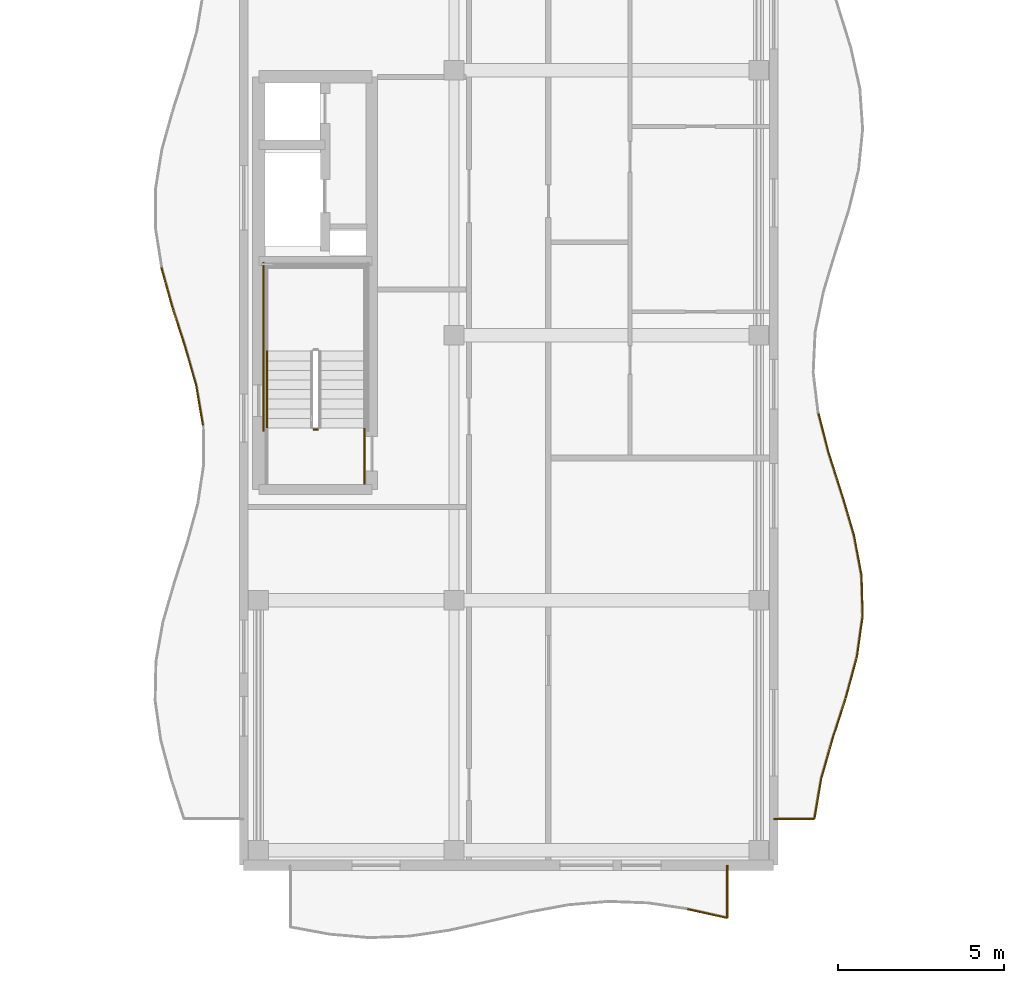
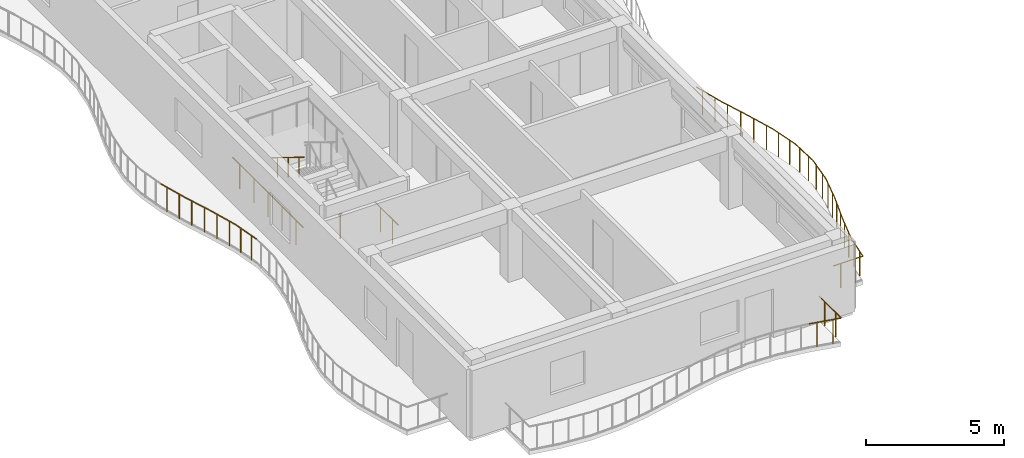
# One storey, part 61 of 76: 21 railings.
"""IFC4 building model written with IfcOpenShell, lengths in metres."""

import ifcopenshell
import ifcopenshell.guid

model = None  # the IFC model being written
_history = None  # IfcOwnerHistory: only IFC2X3 demands one
_inside = {}  # id of a spatial element -> (the spatial element, [elements in it])
_under = {}  # id of a project, library or spatial element -> (it, [spatial elements below it])
_declared = {}  # id of a project -> (the project, [libraries it declares])
_typed = {}  # id of a type object -> (the type object, [elements of that type])
_made_of = {}  # id of a material, layer set ... -> (it, [elements and type objects made of it])


def new_model(schema):
    """Start an empty IFC model of exactly this schema.

    Asked for "IFC4X3", IfcOpenShell would pick the latest addendum, in which some entities
    have other attributes; the version numbers below select the first issue.
    IFC2X3 requires an IfcOwnerHistory on every rooted entity: one is made here for all.
    """
    global model, _history
    if schema == "IFC4X3":
        model = ifcopenshell.file(schema_version=(4, 3, 0, 0))
    else:
        model = ifcopenshell.file(schema=schema)
    _inside.clear()
    _under.clear()
    _declared.clear()
    _typed.clear()
    _made_of.clear()
    _history = None
    if model.schema == "IFC2X3":
        org = make("IfcOrganization", Name="unknown")
        user = make(
            "IfcPersonAndOrganization",
            ThePerson=make("IfcPerson", FamilyName="unknown"),
            TheOrganization=org,
        )
        app = make(
            "IfcApplication",
            ApplicationDeveloper=org,
            Version="unknown",
            ApplicationFullName="unknown",
            ApplicationIdentifier="unknown",
        )
        _history = make(
            "IfcOwnerHistory",
            OwningUser=user,
            OwningApplication=app,
            ChangeAction="ADDED",
            CreationDate=0,
        )
    return model


def make(cls, **values):
    """One entity of the class cls with the attributes given. An attribute that is None is left unset."""
    return model.create_entity(
        cls, **{name: value for name, value in values.items() if value is not None}
    )


def rooted(cls, **values):
    """An entity with a GlobalId (a new one), such as an element, a storey or a relation."""
    return make(cls, GlobalId=ifcopenshell.guid.new(), OwnerHistory=_history, **values)


def si_unit(unit_type, name, prefix=None):
    """IfcSIUnit, for example si_unit("LENGTHUNIT", "METRE", prefix="MILLI")."""
    return make("IfcSIUnit", UnitType=unit_type, Prefix=prefix, Name=name)


def assignment(units):
    """IfcUnitAssignment: the units of a project."""
    return None if units is None else make("IfcUnitAssignment", Units=units)


def point(xyz):
    """IfcCartesianPoint."""
    return None if xyz is None else make("IfcCartesianPoint", Coordinates=xyz)


def direction(xyz):
    """IfcDirection."""
    return None if xyz is None else make("IfcDirection", DirectionRatios=xyz)


def frame(location, z_axis=None, x_axis=None):
    """IfcAxis2Placement3D, a coordinate frame: its origin and axes. An axis left out is left unset."""
    return make(
        "IfcAxis2Placement3D",
        Location=point(location),
        Axis=direction(z_axis),
        RefDirection=direction(x_axis),
    )


def frame_2d(location, x_axis=None):
    """IfcAxis2Placement2D, a coordinate frame in the plane: its origin and x axis."""
    return make(
        "IfcAxis2Placement2D", Location=point(location), RefDirection=direction(x_axis)
    )


def origin():
    """The frame at (0, 0, 0) with its axes left unset."""
    return frame((0.0, 0.0, 0.0))


def origin_2d():
    """The frame at (0, 0) in the plane with its x axis left unset."""
    return frame_2d((0.0, 0.0))


def place(relative_to, where):
    """IfcLocalPlacement: puts the frame where relative to a parent placement (None: the world)."""
    return make(
        "IfcLocalPlacement", PlacementRelTo=relative_to, RelativePlacement=where
    )


def context(
    kind, dimensions, precision=None, world=None, true_north=None, identifier=None
):
    """IfcGeometricRepresentationContext, for example the 3D "Model" context."""
    return make(
        "IfcGeometricRepresentationContext",
        ContextIdentifier=identifier,
        ContextType=kind,
        CoordinateSpaceDimension=dimensions,
        Precision=precision,
        WorldCoordinateSystem=world,
        TrueNorth=true_north,
    )


def subcontext(parent, identifier, kind, view, scale=None):
    """IfcGeometricRepresentationSubContext, for example "Body" below "Model"."""
    return make(
        "IfcGeometricRepresentationSubContext",
        ContextIdentifier=identifier,
        ContextType=kind,
        ParentContext=parent,
        TargetScale=scale,
        TargetView=view,
    )


def project(units=None, contexts=None):
    """IfcProject with its units and contexts."""
    return rooted(
        "IfcProject",
        Name="project",
        RepresentationContexts=contexts,
        UnitsInContext=assignment(units),
    )


def spatial(cls, under=None, at=None, **own):
    """A site, building, storey or space (cls), placed at a placement, below another one or the project."""
    s = rooted(cls, ObjectPlacement=at, **own)
    if under is not None:
        _under.setdefault(under.id(), (under, []))[1].append(s)
    return s


def profile(cls, at=None, kind="AREA", **sizes):
    """A parametric profile (cls). Its sizes go by their IFC names, for example OverallWidth=200.0."""
    return make(cls, ProfileType=kind, Position=at, **sizes)


def circle(**sizes):
    """IfcCircleProfileDef."""
    return profile("IfcCircleProfileDef", **sizes)


def extrude(swept, where, along, depth):
    """IfcExtrudedAreaSolid: the profile swept, set in the frame where, extruded along a direction by depth."""
    return make(
        "IfcExtrudedAreaSolid",
        SweptArea=swept,
        Position=where,
        ExtrudedDirection=direction(along),
        Depth=depth,
    )


def shape(context_of_items, identifier, shape_type, items):
    """IfcShapeRepresentation: the items that make up one representation, for example the "Body"."""
    return make(
        "IfcShapeRepresentation",
        ContextOfItems=context_of_items,
        RepresentationIdentifier=identifier,
        RepresentationType=shape_type,
        Items=items,
    )


def material(Name=None, Category=None):
    """IfcMaterial."""
    return make("IfcMaterial", Name=Name, Category=Category)


def made_of(thing, what):
    """Note that an element or type object is made of a material, layer set ...; save() writes the relation."""
    if what is not None:
        _made_of.setdefault(what.id(), (what, []))[1].append(thing)
    return thing


def type_object(cls, material=None, **own):
    """A type object (cls), such as IfcWallType, which elements share."""
    return made_of(rooted(cls, **own), material)


def element(
    cls,
    number,
    at=None,
    inside=None,
    cuts=None,
    type_object=None,
    material=None,
    context=None,
    identifier="Body",
    shape_type=None,
    held_by="IfcProductDefinitionShape",
    body=None,
    shapes=None,
    **own,
):
    """One element of the class cls, such as IfcWall. Its Tag is "e" and its number.

    at: its placement. inside: the storey or other place that contains it. cuts: it is an
    opening in that element (IfcRelVoidsElement). A single representation is given by context,
    identifier, shape_type and body (its items); several are given by shapes. held_by: the class
    of the entity that holds the representations. save() writes the other relations.
    """
    e = rooted(cls, Tag="e%d" % number, ObjectPlacement=at, **own)
    if body is not None:
        shapes = [shape(context, identifier, shape_type, body)]
    if shapes is not None:
        e.Representation = make(held_by, Representations=shapes)
    if inside is not None:
        _inside.setdefault(inside.id(), (inside, []))[1].append(e)
    if cuts is not None:
        rooted(
            "IfcRelVoidsElement", RelatingBuildingElement=cuts, RelatedOpeningElement=e
        )
    if type_object is not None:
        _typed.setdefault(type_object.id(), (type_object, []))[1].append(e)
    return made_of(e, material)


def aggregate(whole, parts):
    """IfcRelAggregates: a whole, such as a stair, and the parts it consists of."""
    return rooted("IfcRelAggregates", RelatingObject=whole, RelatedObjects=parts)


def save(model, path):
    """Write the relations noted so far, then the file.

    IfcRelAggregates (storeys below a building ...), IfcRelContainedInSpatialStructure (elements
    in a storey), IfcRelDefinesByType, IfcRelAssociatesMaterial and IfcRelDeclares: one each for
    every whole, place, type object, material and project.
    """
    for whole, parts in _under.values():
        aggregate(whole, parts)
    for where, things in _inside.values():
        rooted(
            "IfcRelContainedInSpatialStructure",
            RelatedElements=things,
            RelatingStructure=where,
        )
    for kind, things in _typed.values():
        rooted("IfcRelDefinesByType", RelatedObjects=things, RelatingType=kind)
    for what, things in _made_of.values():
        rooted("IfcRelAssociatesMaterial", RelatedObjects=things, RelatingMaterial=what)
    for by, libraries in _declared.values():
        rooted("IfcRelDeclares", RelatingContext=by, RelatedDefinitions=libraries)
    model.write(path)


model = new_model("IFC4")

# Units and contexts
model_context = context("Model", 3, precision=1e-05, world=origin(), true_north=direction((0.0, 1.0)))
body_context = subcontext(model_context, "Body", "Model", "MODEL_VIEW")
ifc_project = project(units=[si_unit("LENGTHUNIT", "METRE"), si_unit("AREAUNIT", "SQUARE_METRE"), si_unit("VOLUMEUNIT", "CUBIC_METRE"), si_unit("PLANEANGLEUNIT", "RADIAN"), si_unit("MASSUNIT", "GRAM", prefix="KILO")], contexts=[model_context])

# Site, building, storey
site_placement = place(None, origin())
site = spatial("IfcSite", under=ifc_project, at=site_placement, CompositionType="ELEMENT")
building_placement = place(site_placement, origin())
building = spatial("IfcBuilding", under=site, at=building_placement, Name="Keldmere Railside Commons", CompositionType="ELEMENT")
storey_placement = place(building_placement, frame((0.0, 0.0, 13.760009765625)))
storey = spatial("IfcBuildingStorey", under=building, at=storey_placement, Name="L04", CompositionType="ELEMENT", Elevation=13.760009765625)

# Railings
ifc_material = material(Name="Steel F-24 (S235)", Category="steel")
railing_type_1 = type_object("IfcRailingType", Name="Balcony & Terrace Steel Balustrade 1100", PredefinedType="BALUSTRADE", material=ifc_material)
railing_1_placement = place(storey_placement, frame((120.0, 57.39990234375, 0.0)))
element("IfcRailing", 1, at=railing_1_placement, inside=storey, type_object=railing_type_1, Name="GR-1 GRD-L04-2274", PredefinedType="BALUSTRADE", context=body_context, shape_type="SweptSolid", body=[
    extrude(circle(Radius=0.02392578125, at=origin_2d()), frame((0.0, 0.0, 1.076171875), z_axis=(1.0, 0.0, 0.0), x_axis=(0.0, 1.0, 0.0)), (0.0, 0.0, 1.0), 1.230712890625),
    extrude(circle(Radius=0.02099609375, at=origin_2d()), frame((0.3076171875, 0.0, 0.0)), (0.0, 0.0, 1.0), 1.048095703125),
    extrude(circle(Radius=0.02099609375, at=origin_2d()), frame((0.923095703125, 0.0, 0.0)), (0.0, 0.0, 1.0), 1.048095703125),
])
railing_2_placement = place(storey_placement, frame((121.230712890625, 57.39990234375, 0.0)))
element("IfcRailing", 2, at=railing_2_placement, inside=storey, type_object=railing_type_1, Name="GR-1 GRD-L04-2275", PredefinedType="BALUSTRADE", context=body_context, shape_type="SweptSolid", body=[
    extrude(circle(Radius=0.02392578125, at=origin_2d()), frame((0.0, 0.0, 1.076171875), z_axis=(0.167965892827, 0.985792807261, 0.0), x_axis=(-0.985792807261, 0.167965892827, 0.0)), (0.0, 0.0, 1.0), 1.24267578125),
    extrude(circle(Radius=0.02099609375, at=origin_2d()), frame((0.05224609375, 0.30615234375, 0.0)), (0.0, 0.0, 1.0), 1.048095703125),
    extrude(circle(Radius=0.02099609375, at=origin_2d()), frame((0.156494140625, 0.9189453125, 0.0)), (0.0, 0.0, 1.0), 1.048095703125),
])
railing_3_placement = place(storey_placement, frame((121.439453125, 58.625, 0.0)))
element("IfcRailing", 3, at=railing_3_placement, inside=storey, type_object=railing_type_1, Name="GR-1 GRD-L04-2276", PredefinedType="BALUSTRADE", context=body_context, shape_type="SweptSolid", body=[
    extrude(circle(Radius=0.02392578125, at=origin_2d()), frame((0.0, 0.0, 1.076171875), z_axis=(0.27548009996, 0.96130677441, 0.0), x_axis=(-0.96130677441, 0.27548009996, 0.0)), (0.0, 0.0, 1.0), 1.2744140625),
    extrude(circle(Radius=0.02099609375, at=origin_2d()), frame((0.087890625, 0.30615234375, 0.0)), (0.0, 0.0, 1.0), 1.048095703125),
    extrude(circle(Radius=0.02099609375, at=origin_2d()), frame((0.26318359375, 0.9189453125, 0.0)), (0.0, 0.0, 1.0), 1.048095703125),
])
railing_4_placement = place(storey_placement, frame((121.79052734375, 59.85009765625, 0.0)))
element("IfcRailing", 4, at=railing_4_placement, inside=storey, type_object=railing_type_1, Name="GR-1 GRD-L04-2277", PredefinedType="BALUSTRADE", context=body_context, shape_type="SweptSolid", body=[
    extrude(circle(Radius=0.02392578125, at=origin_2d()), frame((0.0, 0.0, 1.076171875), z_axis=(0.307451620447, 0.951563713623, 0.0), x_axis=(-0.951563713623, 0.307451620447, 0.0)), (0.0, 0.0, 1.0), 1.287109375),
    extrude(circle(Radius=0.02099609375, at=origin_2d()), frame((0.098876953125, 0.30615234375, 0.0)), (0.0, 0.0, 1.0), 1.048095703125),
    extrude(circle(Radius=0.02099609375, at=origin_2d()), frame((0.296875, 0.918701171875, 0.0)), (0.0, 0.0, 1.0), 1.048095703125),
])
railing_5_placement = place(storey_placement, frame((122.186279296875, 61.074951171875, 0.0)))
element("IfcRailing", 5, at=railing_5_placement, inside=storey, type_object=railing_type_1, Name="GR-1 GRD-L04-2278", PredefinedType="BALUSTRADE", context=body_context, shape_type="SweptSolid", body=[
    extrude(circle(Radius=0.02392578125, at=origin_2d()), frame((0.0, 0.0, 1.076171875), z_axis=(0.259794035225, 0.965664050932, 0.0), x_axis=(-0.965664050932, 0.259794035225, 0.0)), (0.0, 0.0, 1.0), 1.2685546875),
    extrude(circle(Radius=0.02099609375, at=origin_2d()), frame((0.08251953125, 0.30615234375, 0.0)), (0.0, 0.0, 1.0), 1.048095703125),
    extrude(circle(Radius=0.02099609375, at=origin_2d()), frame((0.2470703125, 0.9189453125, 0.0)), (0.0, 0.0, 1.0), 1.048095703125),
])
railing_6_placement = place(storey_placement, frame((122.515869140625, 62.300048828125, 0.0)))
element("IfcRailing", 6, at=railing_6_placement, inside=storey, type_object=railing_type_1, Name="GR-1 GRD-L04-2279", PredefinedType="BALUSTRADE", context=body_context, shape_type="SweptSolid", body=[
    extrude(circle(Radius=0.02392578125, at=origin_2d()), frame((0.0, 0.0, 1.076171875), z_axis=(0.138961459854, 0.990297789897, 0.0), x_axis=(-0.990297789897, 0.138961459854, 0.0)), (0.0, 0.0, 1.0), 1.23681640625),
    extrude(circle(Radius=0.02099609375, at=origin_2d()), frame((0.04296875, 0.30615234375, 0.0)), (0.0, 0.0, 1.0), 1.048095703125),
    extrude(circle(Radius=0.02099609375, at=origin_2d()), frame((0.12890625, 0.918701171875, 0.0)), (0.0, 0.0, 1.0), 1.048095703125),
])
railing_7_placement = place(storey_placement, frame((122.687744140625, 63.52490234375, 0.0)))
element("IfcRailing", 7, at=railing_7_placement, inside=storey, type_object=railing_type_1, Name="GR-1 GRD-L04-2280", PredefinedType="BALUSTRADE", context=body_context, shape_type="SweptSolid", body=[
    extrude(circle(Radius=0.02392578125, at=origin_2d()), frame((0.0, 0.0, 1.076171875), z_axis=(-0.02768965782, 0.999616567915, 0.0), x_axis=(-0.999616567915, -0.02768965782, 0.0)), (0.0, 0.0, 1.0), 1.2255859375),
    extrude(circle(Radius=0.02099609375, at=origin_2d()), frame((-0.008544921875, 0.30615234375, 0.0)), (0.0, 0.0, 1.0), 1.048095703125),
    extrude(circle(Radius=0.02099609375, at=origin_2d()), frame((-0.025390625, 0.9189453125, 0.0)), (0.0, 0.0, 1.0), 1.048095703125),
])
railing_8_placement = place(storey_placement, frame((122.65380859375, 64.75, 0.0)))
element("IfcRailing", 8, at=railing_8_placement, inside=storey, type_object=railing_type_1, Name="GR-1 GRD-L04-2281", PredefinedType="BALUSTRADE", context=body_context, shape_type="SweptSolid", body=[
    extrude(circle(Radius=0.02392578125, at=origin_2d()), frame((0.0, 0.0, 1.076171875), z_axis=(-0.184690575186, 0.982796719285, 0.0), x_axis=(-0.982796719285, -0.184690575186, 0.0)), (0.0, 0.0, 1.0), 1.24658203125),
    extrude(circle(Radius=0.02099609375, at=origin_2d()), frame((-0.0576171875, 0.30615234375, 0.0)), (0.0, 0.0, 1.0), 1.048095703125),
    extrude(circle(Radius=0.02099609375, at=origin_2d()), frame((-0.172607421875, 0.9189453125, 0.0)), (0.0, 0.0, 1.0), 1.048095703125),
])
railing_9_placement = place(storey_placement, frame((122.423583984375, 65.97509765625, 0.0)))
element("IfcRailing", 9, at=railing_9_placement, inside=storey, type_object=railing_type_1, Name="GR-1 GRD-L04-2282", PredefinedType="BALUSTRADE", context=body_context, shape_type="SweptSolid", body=[
    extrude(circle(Radius=0.02392578125, at=origin_2d()), frame((0.0, 0.0, 1.076171875), z_axis=(-0.283821514105, 0.958877128798, 0.0), x_axis=(-0.958877128798, -0.283821514105, 0.0)), (0.0, 0.0, 1.0), 1.27734375),
    extrude(circle(Radius=0.02099609375, at=origin_2d()), frame((-0.090576171875, 0.30615234375, 0.0)), (0.0, 0.0, 1.0), 1.048095703125),
    extrude(circle(Radius=0.02099609375, at=origin_2d()), frame((-0.27197265625, 0.918701171875, 0.0)), (0.0, 0.0, 1.0), 1.048095703125),
])
railing_10_placement = place(storey_placement, frame((122.06103515625, 67.199951171875, 0.0)))
element("IfcRailing", 10, at=railing_10_placement, inside=storey, type_object=railing_type_1, Name="GR-1 GRD-L04-2283", PredefinedType="BALUSTRADE", context=body_context, shape_type="SweptSolid", body=[
    extrude(circle(Radius=0.02392578125, at=origin_2d()), frame((0.0, 0.0, 1.076171875), z_axis=(-0.305677493816, 0.952135111092, 0.0), x_axis=(-0.952135111092, -0.305677493816, 0.0)), (0.0, 0.0, 1.0), 1.28662109375),
    extrude(circle(Radius=0.02099609375, at=origin_2d()), frame((-0.098388671875, 0.30615234375, 0.0)), (0.0, 0.0, 1.0), 1.048095703125),
    extrude(circle(Radius=0.02099609375, at=origin_2d()), frame((-0.294921875, 0.9189453125, 0.0)), (0.0, 0.0, 1.0), 1.048095703125),
])
railing_11_placement = place(storey_placement, frame((121.667724609375, 68.425048828125, 0.0)))
element("IfcRailing", 11, at=railing_11_placement, inside=storey, type_object=railing_type_1, Name="GR-1 GRD-L04-2284", PredefinedType="BALUSTRADE", context=body_context, shape_type="SweptSolid", body=[
    extrude(circle(Radius=0.02392578125, at=origin_2d()), frame((0.0, 0.0, 1.076171875), z_axis=(-0.248663323817, 0.968589981049, 0.0), x_axis=(-0.968589981049, -0.248663323817, 0.0)), (0.0, 0.0, 1.0), 1.2646484375),
    extrude(circle(Radius=0.02099609375, at=origin_2d()), frame((-0.07861328125, 0.30615234375, 0.0)), (0.0, 0.0, 1.0), 1.048095703125),
    extrude(circle(Radius=0.02099609375, at=origin_2d()), frame((-0.23583984375, 0.918701171875, 0.0)), (0.0, 0.0, 1.0), 1.048095703125),
])
railing_12_placement = place(storey_placement, frame((102.768310546875, 69.288818359375, 0.0)))
element("IfcRailing", 12, at=railing_12_placement, inside=storey, type_object=railing_type_1, Name="GR-1 GRD-L04-2311", PredefinedType="BALUSTRADE", context=body_context, shape_type="SweptSolid", body=[
    extrude(circle(Radius=0.02392578125, at=origin_2d()), frame((0.0, 0.0, 1.076171875), z_axis=(-0.167221635784, 0.985919329624, 0.0), x_axis=(-0.985919329624, -0.167221635784, 0.0)), (0.0, 0.0, 1.0), 1.2060546875),
    extrude(circle(Radius=0.02099609375, at=origin_2d()), frame((-0.05029296875, 0.29736328125, 0.0)), (0.0, 0.0, 1.0), 1.048095703125),
    extrude(circle(Radius=0.02099609375, at=origin_2d()), frame((-0.1513671875, 0.8916015625, 0.0)), (0.0, 0.0, 1.0), 1.048095703125),
])
railing_13_placement = place(storey_placement, frame((102.566650390625, 70.477783203125, 0.0)))
element("IfcRailing", 13, at=railing_13_placement, inside=storey, type_object=railing_type_1, Name="GR-1 GRD-L04-2312", PredefinedType="BALUSTRADE", context=body_context, shape_type="SweptSolid", body=[
    extrude(circle(Radius=0.02392578125, at=origin_2d()), frame((0.0, 0.0, 1.076171875), z_axis=(-0.272998744595, 0.962014389419, 0.0), x_axis=(-0.962014389419, -0.272998744595, 0.0)), (0.0, 0.0, 1.0), 1.23583984375),
    extrude(circle(Radius=0.02099609375, at=origin_2d()), frame((-0.08447265625, 0.29736328125, 0.0)), (0.0, 0.0, 1.0), 1.048095703125),
    extrude(circle(Radius=0.02099609375, at=origin_2d()), frame((-0.2529296875, 0.8916015625, 0.0)), (0.0, 0.0, 1.0), 1.048095703125),
])
railing_14_placement = place(storey_placement, frame((102.229248046875, 71.666748046875, 0.0)))
element("IfcRailing", 14, at=railing_14_placement, inside=storey, type_object=railing_type_1, Name="GR-1 GRD-L04-2313", PredefinedType="BALUSTRADE", context=body_context, shape_type="SweptSolid", body=[
    extrude(circle(Radius=0.02392578125, at=origin_2d()), frame((0.0, 0.0, 1.076171875), z_axis=(-0.307893106044, 0.95142095586, 0.0), x_axis=(-0.95142095586, -0.307893106044, 0.0)), (0.0, 0.0, 1.0), 1.249755859375),
    extrude(circle(Radius=0.02099609375, at=origin_2d()), frame((-0.09619140625, 0.29736328125, 0.0)), (0.0, 0.0, 1.0), 1.048095703125),
    extrude(circle(Radius=0.02099609375, at=origin_2d()), frame((-0.28857421875, 0.8916015625, 0.0)), (0.0, 0.0, 1.0), 1.048095703125),
])
railing_15_placement = place(storey_placement, frame((101.844482421875, 72.855712890625, 0.0)))
element("IfcRailing", 15, at=railing_15_placement, inside=storey, type_object=railing_type_1, Name="GR-1 GRD-L04-2314", PredefinedType="BALUSTRADE", context=body_context, shape_type="SweptSolid", body=[
    extrude(circle(Radius=0.02392578125, at=origin_2d()), frame((0.0, 0.0, 1.076171875), z_axis=(-0.267919400256, 0.963441329281, 0.0), x_axis=(-0.963441329281, -0.267919400256, 0.0)), (0.0, 0.0, 1.0), 1.23388671875),
    extrude(circle(Radius=0.02099609375, at=origin_2d()), frame((-0.08251953125, 0.297119140625, 0.0)), (0.0, 0.0, 1.0), 1.048095703125),
    extrude(circle(Radius=0.02099609375, at=origin_2d()), frame((-0.248046875, 0.8916015625, 0.0)), (0.0, 0.0, 1.0), 1.048095703125),
])
railing_16_placement = place(storey_placement, frame((117.39990234375, 54.67431640625, 0.0)))
element("IfcRailing", 16, at=railing_16_placement, inside=storey, type_object=railing_type_1, Name="GR-1 GRD-L04-2366", PredefinedType="BALUSTRADE", context=body_context, shape_type="SweptSolid", body=[
    extrude(circle(Radius=0.02392578125, at=origin_2d()), frame((0.0, 0.0, 1.076171875), z_axis=(0.976373626137, -0.216089199601, 0.0), x_axis=(0.216089199601, 0.976373626137, 0.0)), (0.0, 0.0, 1.0), 1.229248046875),
    extrude(circle(Radius=0.02099609375, at=origin_2d()), frame((0.300048828125, -0.06640625, 0.0)), (0.0, 0.0, 1.0), 1.048095703125),
    extrude(circle(Radius=0.02099609375, at=origin_2d()), frame((0.900146484375, -0.19921875, 0.0)), (0.0, 0.0, 1.0), 1.048095703125),
])
railing_17_placement = place(storey_placement, frame((118.60009765625, 54.40869140625, 0.0)))
element("IfcRailing", 17, at=railing_17_placement, inside=storey, type_object=railing_type_1, Name="GR-1 GRD-L04-2367", PredefinedType="BALUSTRADE", context=body_context, shape_type="SweptSolid", body=[
    extrude(circle(Radius=0.02392578125, at=origin_2d()), frame((0.0, 0.0, 1.076171875), z_axis=(0.0, 1.0, 0.0), x_axis=(-1.0, 0.0, 0.0)), (0.0, 0.0, 1.0), 1.59130859375),
    extrude(circle(Radius=0.02099609375, at=origin_2d()), frame((0.0, 0.39794921875, 0.0)), (0.0, 0.0, 1.0), 1.048095703125),
    extrude(circle(Radius=0.02099609375, at=origin_2d()), frame((0.0, 1.193359375, 0.0)), (0.0, 0.0, 1.0), 1.048095703125),
])
railing_type_2 = type_object("IfcRailingType", Name="Stair Well Steel Guardrail 1100", PredefinedType="BALUSTRADE", material=ifc_material)
railing_18_placement = place(storey_placement, frame((106.25, 69.14990234375, 0.0)))
element("IfcRailing", 18, at=railing_18_placement, inside=storey, type_object=railing_type_2, Name="L04 ST-B1 stair guard 7", PredefinedType="BALUSTRADE", context=body_context, shape_type="SweptSolid", body=[
    extrude(circle(Radius=0.02392578125, at=origin_2d()), frame((0.0, 0.0, 1.076171875), z_axis=(-1.0, 0.0, 0.0), x_axis=(0.0, -1.0, 0.0)), (0.0, 0.0, 1.0), 0.14990234375),
    extrude(circle(Radius=0.02099609375, at=origin_2d()), frame((-0.074951171875, 0.0, 0.0)), (0.0, 0.0, 1.0), 1.048095703125),
])
railing_19_placement = place(storey_placement, frame((107.64990234375, 67.5, 0.0)))
element("IfcRailing", 19, at=railing_19_placement, inside=storey, type_object=railing_type_2, Name="L04 ST-B1 stair guard 8", PredefinedType="BALUSTRADE", context=body_context, shape_type="SweptSolid", body=[
    extrude(circle(Radius=0.02392578125, at=origin_2d()), frame((0.0, 0.0, 1.076171875), z_axis=(0.0, 1.0, 0.0), x_axis=(-1.0, 0.0, 0.0)), (0.0, 0.0, 1.0), 1.699951171875),
    extrude(circle(Radius=0.02099609375, at=origin_2d()), frame((0.0, 0.425048828125, 0.0)), (0.0, 0.0, 1.0), 1.048095703125),
    extrude(circle(Radius=0.02099609375, at=origin_2d()), frame((0.0, 1.27490234375, 0.0)), (0.0, 0.0, 1.0), 1.048095703125),
])
railing_20_placement = place(storey_placement, frame((104.60009765625, 69.10009765625, 0.0)))
element("IfcRailing", 20, at=railing_20_placement, inside=storey, type_object=railing_type_2, Name="L04 ST-B1 stair guard 11", PredefinedType="BALUSTRADE", context=body_context, shape_type="SweptSolid", body=[
    extrude(circle(Radius=0.02392578125, at=origin_2d()), frame((0.0, 0.0, 1.076171875), z_axis=(0.0, 1.0, 0.0), x_axis=(-1.0, 0.0, 0.0)), (0.0, 0.0, 1.0), 5.099853515625),
    extrude(circle(Radius=0.02099609375, at=origin_2d()), frame((0.0, 0.510009765625, 0.0)), (0.0, 0.0, 1.0), 1.048095703125),
    extrude(circle(Radius=0.02099609375, at=origin_2d()), frame((0.0, 1.530029296875, 0.0)), (0.0, 0.0, 1.0), 1.048095703125),
    extrude(circle(Radius=0.02099609375, at=origin_2d()), frame((0.0, 2.5498046875, 0.0)), (0.0, 0.0, 1.0), 1.048095703125),
    extrude(circle(Radius=0.02099609375, at=origin_2d()), frame((0.0, 3.56982421875, 0.0)), (0.0, 0.0, 1.0), 1.048095703125),
    extrude(circle(Radius=0.02099609375, at=origin_2d()), frame((0.0, 4.58984375, 0.0)), (0.0, 0.0, 1.0), 1.048095703125),
])
railing_type_3 = type_object("IfcRailingType", Name="Wall-Mounted Tubular Steel Handrail 900", PredefinedType="HANDRAIL", material=ifc_material)
railing_21_placement = place(storey_placement, frame((104.699951171875, 71.52001953125, 1.77783203125)))
element("IfcRailing", 21, at=railing_21_placement, inside=storey, type_object=railing_type_3, Name="L04 ST-B1 stair handrail 2", PredefinedType="HANDRAIL", context=body_context, shape_type="SweptSolid", body=[
    extrude(circle(Radius=0.02392578125, at=origin_2d()), frame((0.0, 0.0, 0.8759765625), z_axis=(0.0, -0.852578041948, 0.522599925744), x_axis=(1.0, 0.0, 0.0)), (0.0, 0.0, 1.0), 2.72119140625),
    extrude(circle(Radius=0.02099609375, at=origin_2d()), frame((0.0, -0.38671875, 0.237060546875)), (0.0, 0.0, 1.0), 0.847900390625),
    extrude(circle(Radius=0.02099609375, at=origin_2d()), frame((0.0, -1.16015625, 0.7109375)), (0.0, 0.0, 1.0), 0.847900390625),
    extrude(circle(Radius=0.02099609375, at=origin_2d()), frame((0.0, -1.933349609375, 1.18505859375)), (0.0, 0.0, 1.0), 0.847900390625),
])

save(model, "model.ifc")
